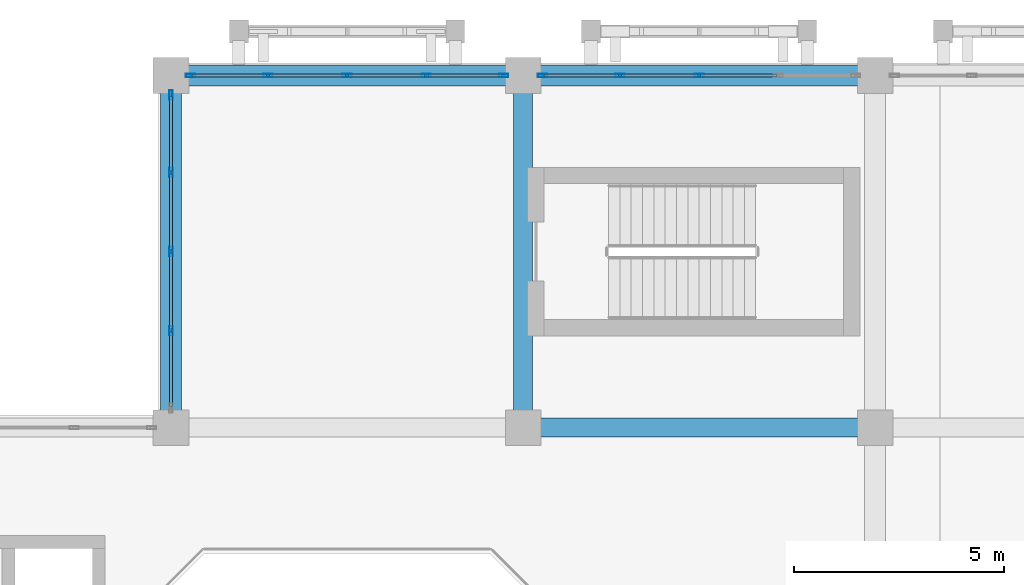
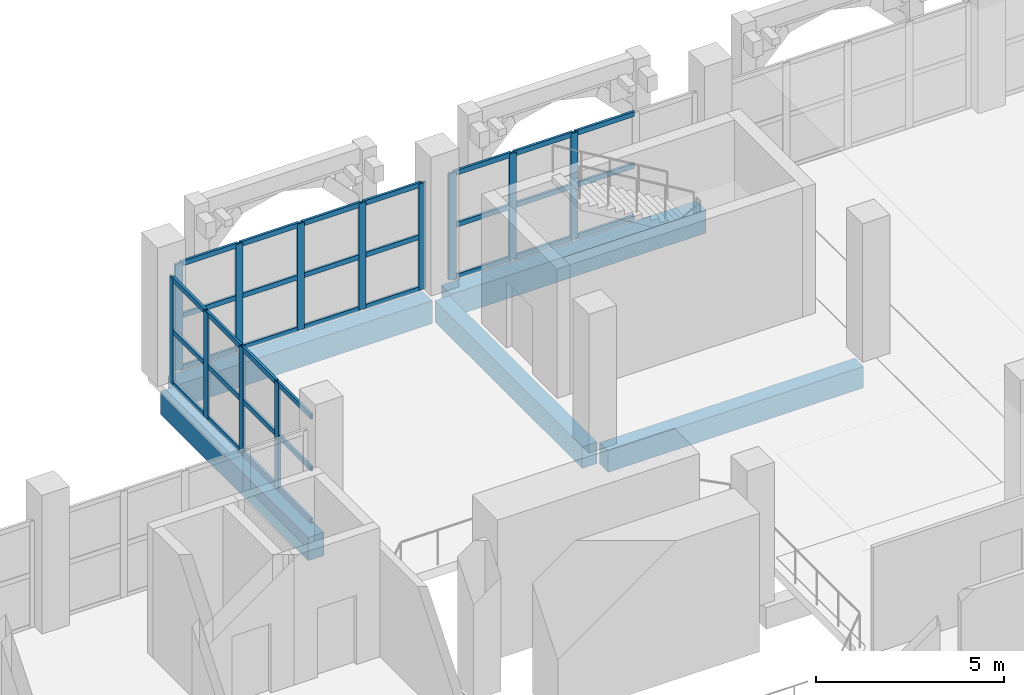
# One storey, part 58 of 137: 45 members, 5 beams, 3 elements without a shape of their own.
"""IFC4 building model written with IfcOpenShell, lengths in metres."""

import ifcopenshell
import ifcopenshell.guid

model = None  # the IFC model being written
_history = None  # IfcOwnerHistory: only IFC2X3 demands one
_inside = {}  # id of a spatial element -> (the spatial element, [elements in it])
_under = {}  # id of a project, library or spatial element -> (it, [spatial elements below it])
_declared = {}  # id of a project -> (the project, [libraries it declares])
_typed = {}  # id of a type object -> (the type object, [elements of that type])
_made_of = {}  # id of a material, layer set ... -> (it, [elements and type objects made of it])


def new_model(schema):
    """Start an empty IFC model of exactly this schema.

    Asked for "IFC4X3", IfcOpenShell would pick the latest addendum, in which some entities
    have other attributes; the version numbers below select the first issue.
    IFC2X3 requires an IfcOwnerHistory on every rooted entity: one is made here for all.
    """
    global model, _history
    if schema == "IFC4X3":
        model = ifcopenshell.file(schema_version=(4, 3, 0, 0))
    else:
        model = ifcopenshell.file(schema=schema)
    _inside.clear()
    _under.clear()
    _declared.clear()
    _typed.clear()
    _made_of.clear()
    _history = None
    if model.schema == "IFC2X3":
        org = make("IfcOrganization", Name="unknown")
        user = make(
            "IfcPersonAndOrganization",
            ThePerson=make("IfcPerson", FamilyName="unknown"),
            TheOrganization=org,
        )
        app = make(
            "IfcApplication",
            ApplicationDeveloper=org,
            Version="unknown",
            ApplicationFullName="unknown",
            ApplicationIdentifier="unknown",
        )
        _history = make(
            "IfcOwnerHistory",
            OwningUser=user,
            OwningApplication=app,
            ChangeAction="ADDED",
            CreationDate=0,
        )
    return model


def make(cls, **values):
    """One entity of the class cls with the attributes given. An attribute that is None is left unset."""
    return model.create_entity(
        cls, **{name: value for name, value in values.items() if value is not None}
    )


def rooted(cls, **values):
    """An entity with a GlobalId (a new one), such as an element, a storey or a relation."""
    return make(cls, GlobalId=ifcopenshell.guid.new(), OwnerHistory=_history, **values)


def si_unit(unit_type, name, prefix=None):
    """IfcSIUnit, for example si_unit("LENGTHUNIT", "METRE", prefix="MILLI")."""
    return make("IfcSIUnit", UnitType=unit_type, Prefix=prefix, Name=name)


def assignment(units):
    """IfcUnitAssignment: the units of a project."""
    return None if units is None else make("IfcUnitAssignment", Units=units)


def point(xyz):
    """IfcCartesianPoint."""
    return None if xyz is None else make("IfcCartesianPoint", Coordinates=xyz)


def direction(xyz):
    """IfcDirection."""
    return None if xyz is None else make("IfcDirection", DirectionRatios=xyz)


def frame(location, z_axis=None, x_axis=None):
    """IfcAxis2Placement3D, a coordinate frame: its origin and axes. An axis left out is left unset."""
    return make(
        "IfcAxis2Placement3D",
        Location=point(location),
        Axis=direction(z_axis),
        RefDirection=direction(x_axis),
    )


def frame_2d(location, x_axis=None):
    """IfcAxis2Placement2D, a coordinate frame in the plane: its origin and x axis."""
    return make(
        "IfcAxis2Placement2D", Location=point(location), RefDirection=direction(x_axis)
    )


def origin():
    """The frame at (0, 0, 0) with its axes left unset."""
    return frame((0.0, 0.0, 0.0))


def origin_2d():
    """The frame at (0, 0) in the plane with its x axis left unset."""
    return frame_2d((0.0, 0.0))


def place(relative_to, where):
    """IfcLocalPlacement: puts the frame where relative to a parent placement (None: the world)."""
    return make(
        "IfcLocalPlacement", PlacementRelTo=relative_to, RelativePlacement=where
    )


def context(
    kind, dimensions, precision=None, world=None, true_north=None, identifier=None
):
    """IfcGeometricRepresentationContext, for example the 3D "Model" context."""
    return make(
        "IfcGeometricRepresentationContext",
        ContextIdentifier=identifier,
        ContextType=kind,
        CoordinateSpaceDimension=dimensions,
        Precision=precision,
        WorldCoordinateSystem=world,
        TrueNorth=true_north,
    )


def subcontext(parent, identifier, kind, view, scale=None):
    """IfcGeometricRepresentationSubContext, for example "Body" below "Model"."""
    return make(
        "IfcGeometricRepresentationSubContext",
        ContextIdentifier=identifier,
        ContextType=kind,
        ParentContext=parent,
        TargetScale=scale,
        TargetView=view,
    )


def project(units=None, contexts=None):
    """IfcProject with its units and contexts."""
    return rooted(
        "IfcProject",
        Name="project",
        RepresentationContexts=contexts,
        UnitsInContext=assignment(units),
    )


def spatial(cls, under=None, at=None, **own):
    """A site, building, storey or space (cls), placed at a placement, below another one or the project."""
    s = rooted(cls, ObjectPlacement=at, **own)
    if under is not None:
        _under.setdefault(under.id(), (under, []))[1].append(s)
    return s


def profile(cls, at=None, kind="AREA", **sizes):
    """A parametric profile (cls). Its sizes go by their IFC names, for example OverallWidth=200.0."""
    return make(cls, ProfileType=kind, Position=at, **sizes)


def rectangle(**sizes):
    """IfcRectangleProfileDef."""
    return profile("IfcRectangleProfileDef", **sizes)


def hollow_rectangle(**sizes):
    """IfcRectangleHollowProfileDef."""
    return profile("IfcRectangleHollowProfileDef", **sizes)


def extrude(swept, where, along, depth):
    """IfcExtrudedAreaSolid: the profile swept, set in the frame where, extruded along a direction by depth."""
    return make(
        "IfcExtrudedAreaSolid",
        SweptArea=swept,
        Position=where,
        ExtrudedDirection=direction(along),
        Depth=depth,
    )


def shape(context_of_items, identifier, shape_type, items):
    """IfcShapeRepresentation: the items that make up one representation, for example the "Body"."""
    return make(
        "IfcShapeRepresentation",
        ContextOfItems=context_of_items,
        RepresentationIdentifier=identifier,
        RepresentationType=shape_type,
        Items=items,
    )


def material(Name=None, Category=None):
    """IfcMaterial."""
    return make("IfcMaterial", Name=Name, Category=Category)


def layer(
    of_material, thickness, ventilated=None, Name=None, Category=None, Priority=None
):
    """IfcMaterialLayer: one layer of a wall or slab, of a material (None: an air gap)."""
    return make(
        "IfcMaterialLayer",
        Material=of_material,
        LayerThickness=thickness,
        IsVentilated=ventilated,
        Name=Name,
        Category=Category,
        Priority=Priority,
    )


def layer_set(layers, Name=None):
    """IfcMaterialLayerSet."""
    return make("IfcMaterialLayerSet", MaterialLayers=layers, LayerSetName=Name)


def material_profile(
    of_material, cross_section, Name=None, Category=None, Priority=None
):
    """IfcMaterialProfile: a cross section and its material."""
    return make(
        "IfcMaterialProfile",
        Name=Name,
        Material=of_material,
        Profile=cross_section,
        Priority=Priority,
        Category=Category,
    )


def profile_set(profiles, Name=None, composite=None):
    """IfcMaterialProfileSet."""
    return make(
        "IfcMaterialProfileSet",
        Name=Name,
        MaterialProfiles=profiles,
        CompositeProfile=composite,
    )


def made_of(thing, what):
    """Note that an element or type object is made of a material, layer set ...; save() writes the relation."""
    if what is not None:
        _made_of.setdefault(what.id(), (what, []))[1].append(thing)
    return thing


def type_object(cls, material=None, **own):
    """A type object (cls), such as IfcWallType, which elements share."""
    return made_of(rooted(cls, **own), material)


def element(
    cls,
    number,
    at=None,
    inside=None,
    cuts=None,
    type_object=None,
    material=None,
    context=None,
    identifier="Body",
    shape_type=None,
    held_by="IfcProductDefinitionShape",
    body=None,
    shapes=None,
    **own,
):
    """One element of the class cls, such as IfcWall. Its Tag is "e" and its number.

    at: its placement. inside: the storey or other place that contains it. cuts: it is an
    opening in that element (IfcRelVoidsElement). A single representation is given by context,
    identifier, shape_type and body (its items); several are given by shapes. held_by: the class
    of the entity that holds the representations. save() writes the other relations.
    """
    e = rooted(cls, Tag="e%d" % number, ObjectPlacement=at, **own)
    if body is not None:
        shapes = [shape(context, identifier, shape_type, body)]
    if shapes is not None:
        e.Representation = make(held_by, Representations=shapes)
    if inside is not None:
        _inside.setdefault(inside.id(), (inside, []))[1].append(e)
    if cuts is not None:
        rooted(
            "IfcRelVoidsElement", RelatingBuildingElement=cuts, RelatedOpeningElement=e
        )
    if type_object is not None:
        _typed.setdefault(type_object.id(), (type_object, []))[1].append(e)
    return made_of(e, material)


def aggregate(whole, parts):
    """IfcRelAggregates: a whole, such as a stair, and the parts it consists of."""
    return rooted("IfcRelAggregates", RelatingObject=whole, RelatedObjects=parts)


def save(model, path):
    """Write the relations noted so far, then the file.

    IfcRelAggregates (storeys below a building ...), IfcRelContainedInSpatialStructure (elements
    in a storey), IfcRelDefinesByType, IfcRelAssociatesMaterial and IfcRelDeclares: one each for
    every whole, place, type object, material and project.
    """
    for whole, parts in _under.values():
        aggregate(whole, parts)
    for where, things in _inside.values():
        rooted(
            "IfcRelContainedInSpatialStructure",
            RelatedElements=things,
            RelatingStructure=where,
        )
    for kind, things in _typed.values():
        rooted("IfcRelDefinesByType", RelatedObjects=things, RelatingType=kind)
    for what, things in _made_of.values():
        rooted("IfcRelAssociatesMaterial", RelatedObjects=things, RelatingMaterial=what)
    for by, libraries in _declared.values():
        rooted("IfcRelDeclares", RelatingContext=by, RelatedDefinitions=libraries)
    model.write(path)


model = new_model("IFC4")

# Units and contexts
model_context = context("Model", 3, precision=1e-05, world=origin(), true_north=direction((0.0, 1.0)))
body_context = subcontext(model_context, "Body", "Model", "MODEL_VIEW")
ifc_project = project(units=[si_unit("LENGTHUNIT", "METRE"), si_unit("AREAUNIT", "SQUARE_METRE"), si_unit("VOLUMEUNIT", "CUBIC_METRE"), si_unit("PLANEANGLEUNIT", "RADIAN"), si_unit("MASSUNIT", "GRAM", prefix="KILO")], contexts=[model_context])

# Site, building, storey
site_placement = place(None, origin())
site = spatial("IfcSite", under=ifc_project, at=site_placement, CompositionType="ELEMENT")
building_placement = place(site_placement, origin())
building = spatial("IfcBuilding", under=site, at=building_placement, Name="Xazarin Passage Department Store", CompositionType="ELEMENT")
storey_placement = place(building_placement, frame((0.0, 0.0, 5.39990234375)))
storey = spatial("IfcBuildingStorey", under=building, at=storey_placement, Name="L01", CompositionType="ELEMENT", Elevation=5.39990234375)

# Curtain wall, members
ifc_material_1 = material(Name="Bronze anodised aluminium", Category="aluminium")
ifc_layer = layer(ifc_material_1, 0.179931640625)
ifc_layer_set = layer_set([ifc_layer], Name="Bronze anodised aluminium")
curtain_wall_type = type_object("IfcCurtainWallType", Name="ARC-CW-VIT1", PredefinedType="NOTDEFINED", material=ifc_layer_set)
curtain_wall_1_placement = place(storey_placement, origin())
curtain_wall_1 = element("IfcCurtainWall", 1, at=curtain_wall_1_placement, inside=storey, type_object=curtain_wall_type, Name="L01 V1 Curtain Wall 014", PredefinedType="NOTDEFINED")
ifc_material_profile_1 = material_profile(ifc_material_1, hollow_rectangle(XDim=0.074951171875, YDim=0.219970703125, WallThickness=0.0048828125, at=origin_2d()), Name="ALU 75x220")
ifc_profile_set_1 = profile_set([ifc_material_profile_1], Name="Bronze anodised aluminium")
member_type_1 = type_object("IfcMemberType", Name="ARC-CWM-75x220", PredefinedType="MULLION", material=ifc_profile_set_1)
member_1_placement = place(storey_placement, frame((17.262451171875, 110.0, 0.0), z_axis=(0.0, 0.0, 1.0), x_axis=(0.0, 1.0, 0.0)))
member_1 = element("IfcMember", 2, at=member_1_placement, type_object=member_type_1, Name="CW1 mullion 1", PredefinedType="MULLION", context=body_context, shape_type="SweptSolid", body=[
    extrude(hollow_rectangle(XDim=0.074951171875, YDim=0.219970703125, WallThickness=0.0048828125, at=origin_2d()), origin(), (0.0, 0.0, 1.0), 3.4501953125),
])
member_2_placement = place(storey_placement, frame((19.112548828125, 110.0, 0.0), z_axis=(0.0, 0.0, 1.0), x_axis=(0.0, 1.0, 0.0)))
member_2 = element("IfcMember", 3, at=member_2_placement, type_object=member_type_1, Name="CW1 mullion 2", PredefinedType="MULLION", context=body_context, shape_type="SweptSolid", body=[
    extrude(hollow_rectangle(XDim=0.074951171875, YDim=0.219970703125, WallThickness=0.0048828125, at=origin_2d()), origin(), (0.0, 0.0, 1.0), 3.4501953125),
])
member_3_placement = place(storey_placement, frame((21.0, 110.0, 0.0), z_axis=(0.0, 0.0, 1.0), x_axis=(0.0, 1.0, 0.0)))
member_3 = element("IfcMember", 4, at=member_3_placement, type_object=member_type_1, Name="CW1 mullion 3", PredefinedType="MULLION", context=body_context, shape_type="SweptSolid", body=[
    extrude(hollow_rectangle(XDim=0.074951171875, YDim=0.219970703125, WallThickness=0.0048828125, at=origin_2d()), origin(), (0.0, 0.0, 1.0), 3.4501953125),
])
member_4_placement = place(storey_placement, frame((22.887451171875, 110.0, 0.0), z_axis=(0.0, 0.0, 1.0), x_axis=(0.0, 1.0, 0.0)))
member_4 = element("IfcMember", 5, at=member_4_placement, type_object=member_type_1, Name="CW1 mullion 4", PredefinedType="MULLION", context=body_context, shape_type="SweptSolid", body=[
    extrude(hollow_rectangle(XDim=0.074951171875, YDim=0.219970703125, WallThickness=0.0048828125, at=origin_2d()), origin(), (0.0, 0.0, 1.0), 3.4501953125),
])
member_5_placement = place(storey_placement, frame((24.737548828125, 110.0, 0.0), z_axis=(0.0, 0.0, 1.0), x_axis=(0.0, 1.0, 0.0)))
member_5 = element("IfcMember", 6, at=member_5_placement, type_object=member_type_1, Name="CW1 mullion 5", PredefinedType="MULLION", context=body_context, shape_type="SweptSolid", body=[
    extrude(hollow_rectangle(XDim=0.074951171875, YDim=0.219970703125, WallThickness=0.0048828125, at=origin_2d()), origin(), (0.0, 0.0, 1.0), 3.4501953125),
])

curtain_wall_2_placement = place(storey_placement, origin())
curtain_wall_2 = element("IfcCurtainWall", 7, at=curtain_wall_2_placement, inside=storey, type_object=curtain_wall_type, Name="L01 V1 Curtain Wall 015", PredefinedType="NOTDEFINED")
member_6_placement = place(storey_placement, frame((25.66259765625, 110.0, 0.0), z_axis=(0.0, 0.0, 1.0), x_axis=(0.0, 1.0, 0.0)))
member_6 = element("IfcMember", 8, at=member_6_placement, type_object=member_type_1, Name="CW1 mullion 1", PredefinedType="MULLION", context=body_context, shape_type="SweptSolid", body=[
    extrude(hollow_rectangle(XDim=0.074951171875, YDim=0.219970703125, WallThickness=0.0048828125, at=origin_2d()), origin(), (0.0, 0.0, 1.0), 3.4501953125),
])
member_7_placement = place(storey_placement, frame((27.512451171875, 110.0, 0.0), z_axis=(0.0, 0.0, 1.0), x_axis=(0.0, 1.0, 0.0)))
member_7 = element("IfcMember", 9, at=member_7_placement, type_object=member_type_1, Name="CW1 mullion 2", PredefinedType="MULLION", context=body_context, shape_type="SweptSolid", body=[
    extrude(hollow_rectangle(XDim=0.074951171875, YDim=0.219970703125, WallThickness=0.0048828125, at=origin_2d()), origin(), (0.0, 0.0, 1.0), 3.4501953125),
])
member_8_placement = place(storey_placement, frame((29.39990234375, 110.0, 0.0), z_axis=(0.0, 0.0, 1.0), x_axis=(0.0, 1.0, 0.0)))
member_8 = element("IfcMember", 10, at=member_8_placement, type_object=member_type_1, Name="CW1 mullion 3", PredefinedType="MULLION", context=body_context, shape_type="SweptSolid", body=[
    extrude(hollow_rectangle(XDim=0.074951171875, YDim=0.219970703125, WallThickness=0.0048828125, at=origin_2d()), origin(), (0.0, 0.0, 1.0), 3.4501953125),
])

curtain_wall_3_placement = place(storey_placement, origin())
curtain_wall_3 = element("IfcCurtainWall", 11, at=curtain_wall_3_placement, inside=storey, type_object=curtain_wall_type, Name="L01 V1 Curtain Wall 024", PredefinedType="NOTDEFINED")
member_9_placement = place(storey_placement, frame((16.800048828125, 103.91259765625, 0.0), z_axis=(0.0, 0.0, 1.0), x_axis=(-1.0, 0.0, 0.0)))
member_9 = element("IfcMember", 12, at=member_9_placement, type_object=member_type_1, Name="CW1 mullion 2", PredefinedType="MULLION", context=body_context, shape_type="SweptSolid", body=[
    extrude(hollow_rectangle(XDim=0.074951171875, YDim=0.219970703125, WallThickness=0.0048828125, at=origin_2d()), origin(), (0.0, 0.0, 1.0), 3.4501953125),
])
member_10_placement = place(storey_placement, frame((16.800048828125, 105.800048828125, 0.0), z_axis=(0.0, 0.0, 1.0), x_axis=(-1.0, 0.0, 0.0)))
member_10 = element("IfcMember", 13, at=member_10_placement, type_object=member_type_1, Name="CW1 mullion 3", PredefinedType="MULLION", context=body_context, shape_type="SweptSolid", body=[
    extrude(hollow_rectangle(XDim=0.074951171875, YDim=0.219970703125, WallThickness=0.0048828125, at=origin_2d()), origin(), (0.0, 0.0, 1.0), 3.4501953125),
])
member_11_placement = place(storey_placement, frame((16.800048828125, 107.6875, 0.0), z_axis=(0.0, 0.0, 1.0), x_axis=(-1.0, 0.0, 0.0)))
member_11 = element("IfcMember", 14, at=member_11_placement, type_object=member_type_1, Name="CW1 mullion 4", PredefinedType="MULLION", context=body_context, shape_type="SweptSolid", body=[
    extrude(hollow_rectangle(XDim=0.074951171875, YDim=0.219970703125, WallThickness=0.0048828125, at=origin_2d()), origin(), (0.0, 0.0, 1.0), 3.4501953125),
])
member_12_placement = place(storey_placement, frame((16.800048828125, 109.53759765625, 0.0), z_axis=(0.0, 0.0, 1.0), x_axis=(-1.0, 0.0, 0.0)))
member_12 = element("IfcMember", 15, at=member_12_placement, type_object=member_type_1, Name="CW1 mullion 5", PredefinedType="MULLION", context=body_context, shape_type="SweptSolid", body=[
    extrude(hollow_rectangle(XDim=0.074951171875, YDim=0.219970703125, WallThickness=0.0048828125, at=origin_2d()), origin(), (0.0, 0.0, 1.0), 3.4501953125),
])

# Member
ifc_material_profile_2 = material_profile(ifc_material_1, hollow_rectangle(XDim=0.074951171875, YDim=0.159912109375, WallThickness=0.00439453125, at=origin_2d()), Name="ALU 75x160")
ifc_profile_set_2 = profile_set([ifc_material_profile_2], Name="Bronze anodised aluminium")
member_type_2 = type_object("IfcMemberType", Name="ARC-CWT-75x160", PredefinedType="USERDEFINED", material=ifc_profile_set_2)
member_13_placement = place(storey_placement, frame((17.300048828125, 110.0, 0.03759765625), z_axis=(1.0, 0.0, 0.0), x_axis=(0.0, 1.0, 0.0)))
member_13 = element("IfcMember", 16, at=member_13_placement, type_object=member_type_2, Name="CW1 transom 1.1", ObjectType="TRANSOM", PredefinedType="USERDEFINED", context=body_context, shape_type="SweptSolid", body=[
    extrude(hollow_rectangle(XDim=0.074951171875, YDim=0.159912109375, WallThickness=0.00439453125, at=origin_2d()), origin(), (0.0, 0.0, 1.0), 1.77490234375),
])

member_14_placement = place(storey_placement, frame((17.300048828125, 110.0, 1.72509765625), z_axis=(1.0, 0.0, 0.0), x_axis=(0.0, 1.0, 0.0)))
member_14 = element("IfcMember", 17, at=member_14_placement, type_object=member_type_2, Name="CW1 transom 1.2", ObjectType="TRANSOM", PredefinedType="USERDEFINED", context=body_context, shape_type="SweptSolid", body=[
    extrude(hollow_rectangle(XDim=0.074951171875, YDim=0.159912109375, WallThickness=0.00439453125, at=origin_2d()), origin(), (0.0, 0.0, 1.0), 1.77490234375),
])

member_15_placement = place(storey_placement, frame((17.300048828125, 110.0, 3.41259765625), z_axis=(1.0, 0.0, 0.0), x_axis=(0.0, 1.0, 0.0)))
member_15 = element("IfcMember", 18, at=member_15_placement, type_object=member_type_2, Name="CW1 transom 1.3", ObjectType="TRANSOM", PredefinedType="USERDEFINED", context=body_context, shape_type="SweptSolid", body=[
    extrude(hollow_rectangle(XDim=0.074951171875, YDim=0.159912109375, WallThickness=0.00439453125, at=origin_2d()), origin(), (0.0, 0.0, 1.0), 1.77490234375),
])

member_16_placement = place(storey_placement, frame((19.14990234375, 110.0, 0.03759765625), z_axis=(1.0, 0.0, 0.0), x_axis=(0.0, 1.0, 0.0)))
member_16 = element("IfcMember", 19, at=member_16_placement, type_object=member_type_2, Name="CW1 transom 2.1", ObjectType="TRANSOM", PredefinedType="USERDEFINED", context=body_context, shape_type="SweptSolid", body=[
    extrude(hollow_rectangle(XDim=0.074951171875, YDim=0.159912109375, WallThickness=0.00439453125, at=origin_2d()), origin(), (0.0, 0.0, 1.0), 1.8125),
])

member_17_placement = place(storey_placement, frame((19.14990234375, 110.0, 1.72509765625), z_axis=(1.0, 0.0, 0.0), x_axis=(0.0, 1.0, 0.0)))
member_17 = element("IfcMember", 20, at=member_17_placement, type_object=member_type_2, Name="CW1 transom 2.2", ObjectType="TRANSOM", PredefinedType="USERDEFINED", context=body_context, shape_type="SweptSolid", body=[
    extrude(hollow_rectangle(XDim=0.074951171875, YDim=0.159912109375, WallThickness=0.00439453125, at=origin_2d()), origin(), (0.0, 0.0, 1.0), 1.8125),
])

member_18_placement = place(storey_placement, frame((19.14990234375, 110.0, 3.41259765625), z_axis=(1.0, 0.0, 0.0), x_axis=(0.0, 1.0, 0.0)))
member_18 = element("IfcMember", 21, at=member_18_placement, type_object=member_type_2, Name="CW1 transom 2.3", ObjectType="TRANSOM", PredefinedType="USERDEFINED", context=body_context, shape_type="SweptSolid", body=[
    extrude(hollow_rectangle(XDim=0.074951171875, YDim=0.159912109375, WallThickness=0.00439453125, at=origin_2d()), origin(), (0.0, 0.0, 1.0), 1.8125),
])

member_19_placement = place(storey_placement, frame((21.03759765625, 110.0, 0.03759765625), z_axis=(1.0, 0.0, 0.0), x_axis=(0.0, 1.0, 0.0)))
member_19 = element("IfcMember", 22, at=member_19_placement, type_object=member_type_2, Name="CW1 transom 3.1", ObjectType="TRANSOM", PredefinedType="USERDEFINED", context=body_context, shape_type="SweptSolid", body=[
    extrude(hollow_rectangle(XDim=0.074951171875, YDim=0.159912109375, WallThickness=0.00439453125, at=origin_2d()), origin(), (0.0, 0.0, 1.0), 1.8125),
])

member_20_placement = place(storey_placement, frame((21.03759765625, 110.0, 1.72509765625), z_axis=(1.0, 0.0, 0.0), x_axis=(0.0, 1.0, 0.0)))
member_20 = element("IfcMember", 23, at=member_20_placement, type_object=member_type_2, Name="CW1 transom 3.2", ObjectType="TRANSOM", PredefinedType="USERDEFINED", context=body_context, shape_type="SweptSolid", body=[
    extrude(hollow_rectangle(XDim=0.074951171875, YDim=0.159912109375, WallThickness=0.00439453125, at=origin_2d()), origin(), (0.0, 0.0, 1.0), 1.8125),
])

member_21_placement = place(storey_placement, frame((21.03759765625, 110.0, 3.41259765625), z_axis=(1.0, 0.0, 0.0), x_axis=(0.0, 1.0, 0.0)))
member_21 = element("IfcMember", 24, at=member_21_placement, type_object=member_type_2, Name="CW1 transom 3.3", ObjectType="TRANSOM", PredefinedType="USERDEFINED", context=body_context, shape_type="SweptSolid", body=[
    extrude(hollow_rectangle(XDim=0.074951171875, YDim=0.159912109375, WallThickness=0.00439453125, at=origin_2d()), origin(), (0.0, 0.0, 1.0), 1.8125),
])

member_22_placement = place(storey_placement, frame((22.925048828125, 110.0, 0.03759765625), z_axis=(1.0, 0.0, 0.0), x_axis=(0.0, 1.0, 0.0)))
member_22 = element("IfcMember", 25, at=member_22_placement, type_object=member_type_2, Name="CW1 transom 4.1", ObjectType="TRANSOM", PredefinedType="USERDEFINED", context=body_context, shape_type="SweptSolid", body=[
    extrude(hollow_rectangle(XDim=0.074951171875, YDim=0.159912109375, WallThickness=0.00439453125, at=origin_2d()), origin(), (0.0, 0.0, 1.0), 1.77490234375),
])

member_23_placement = place(storey_placement, frame((22.925048828125, 110.0, 1.72509765625), z_axis=(1.0, 0.0, 0.0), x_axis=(0.0, 1.0, 0.0)))
member_23 = element("IfcMember", 26, at=member_23_placement, type_object=member_type_2, Name="CW1 transom 4.2", ObjectType="TRANSOM", PredefinedType="USERDEFINED", context=body_context, shape_type="SweptSolid", body=[
    extrude(hollow_rectangle(XDim=0.074951171875, YDim=0.159912109375, WallThickness=0.00439453125, at=origin_2d()), origin(), (0.0, 0.0, 1.0), 1.77490234375),
])

member_24_placement = place(storey_placement, frame((22.925048828125, 110.0, 3.41259765625), z_axis=(1.0, 0.0, 0.0), x_axis=(0.0, 1.0, 0.0)))
member_24 = element("IfcMember", 27, at=member_24_placement, type_object=member_type_2, Name="CW1 transom 4.3", ObjectType="TRANSOM", PredefinedType="USERDEFINED", context=body_context, shape_type="SweptSolid", body=[
    extrude(hollow_rectangle(XDim=0.074951171875, YDim=0.159912109375, WallThickness=0.00439453125, at=origin_2d()), origin(), (0.0, 0.0, 1.0), 1.77490234375),
])

aggregate(curtain_wall_1, [member_1, member_2, member_3, member_4, member_5, member_13, member_14, member_15, member_16, member_17, member_18, member_19, member_20, member_21, member_22, member_23, member_24])

member_25_placement = place(storey_placement, frame((25.699951171875, 110.0, 0.03759765625), z_axis=(1.0, 0.0, 0.0), x_axis=(0.0, 1.0, 0.0)))
member_25 = element("IfcMember", 28, at=member_25_placement, type_object=member_type_2, Name="CW1 transom 1.1", ObjectType="TRANSOM", PredefinedType="USERDEFINED", context=body_context, shape_type="SweptSolid", body=[
    extrude(hollow_rectangle(XDim=0.074951171875, YDim=0.159912109375, WallThickness=0.00439453125, at=origin_2d()), origin(), (0.0, 0.0, 1.0), 1.775146484375),
])

member_26_placement = place(storey_placement, frame((25.699951171875, 110.0, 1.72509765625), z_axis=(1.0, 0.0, 0.0), x_axis=(0.0, 1.0, 0.0)))
member_26 = element("IfcMember", 29, at=member_26_placement, type_object=member_type_2, Name="CW1 transom 1.2", ObjectType="TRANSOM", PredefinedType="USERDEFINED", context=body_context, shape_type="SweptSolid", body=[
    extrude(hollow_rectangle(XDim=0.074951171875, YDim=0.159912109375, WallThickness=0.00439453125, at=origin_2d()), origin(), (0.0, 0.0, 1.0), 1.775146484375),
])

member_27_placement = place(storey_placement, frame((25.699951171875, 110.0, 3.41259765625), z_axis=(1.0, 0.0, 0.0), x_axis=(0.0, 1.0, 0.0)))
member_27 = element("IfcMember", 30, at=member_27_placement, type_object=member_type_2, Name="CW1 transom 1.3", ObjectType="TRANSOM", PredefinedType="USERDEFINED", context=body_context, shape_type="SweptSolid", body=[
    extrude(hollow_rectangle(XDim=0.074951171875, YDim=0.159912109375, WallThickness=0.00439453125, at=origin_2d()), origin(), (0.0, 0.0, 1.0), 1.775146484375),
])

member_28_placement = place(storey_placement, frame((27.550048828125, 110.0, 0.03759765625), z_axis=(1.0, 0.0, 0.0), x_axis=(0.0, 1.0, 0.0)))
member_28 = element("IfcMember", 31, at=member_28_placement, type_object=member_type_2, Name="CW1 transom 2.1", ObjectType="TRANSOM", PredefinedType="USERDEFINED", context=body_context, shape_type="SweptSolid", body=[
    extrude(hollow_rectangle(XDim=0.074951171875, YDim=0.159912109375, WallThickness=0.00439453125, at=origin_2d()), origin(), (0.0, 0.0, 1.0), 1.8125),
])

member_29_placement = place(storey_placement, frame((27.550048828125, 110.0, 1.72509765625), z_axis=(1.0, 0.0, 0.0), x_axis=(0.0, 1.0, 0.0)))
member_29 = element("IfcMember", 32, at=member_29_placement, type_object=member_type_2, Name="CW1 transom 2.2", ObjectType="TRANSOM", PredefinedType="USERDEFINED", context=body_context, shape_type="SweptSolid", body=[
    extrude(hollow_rectangle(XDim=0.074951171875, YDim=0.159912109375, WallThickness=0.00439453125, at=origin_2d()), origin(), (0.0, 0.0, 1.0), 1.8125),
])

member_30_placement = place(storey_placement, frame((27.550048828125, 110.0, 3.41259765625), z_axis=(1.0, 0.0, 0.0), x_axis=(0.0, 1.0, 0.0)))
member_30 = element("IfcMember", 33, at=member_30_placement, type_object=member_type_2, Name="CW1 transom 2.3", ObjectType="TRANSOM", PredefinedType="USERDEFINED", context=body_context, shape_type="SweptSolid", body=[
    extrude(hollow_rectangle(XDim=0.074951171875, YDim=0.159912109375, WallThickness=0.00439453125, at=origin_2d()), origin(), (0.0, 0.0, 1.0), 1.8125),
])

member_31_placement = place(storey_placement, frame((29.4375, 110.0, 0.03759765625), z_axis=(1.0, 0.0, 0.0), x_axis=(0.0, 1.0, 0.0)))
member_31 = element("IfcMember", 34, at=member_31_placement, type_object=member_type_2, Name="CW1 transom 3.1", ObjectType="TRANSOM", PredefinedType="USERDEFINED", context=body_context, shape_type="SweptSolid", body=[
    extrude(hollow_rectangle(XDim=0.074951171875, YDim=0.159912109375, WallThickness=0.00439453125, at=origin_2d()), origin(), (0.0, 0.0, 1.0), 1.8125),
])

member_32_placement = place(storey_placement, frame((29.4375, 110.0, 1.72509765625), z_axis=(1.0, 0.0, 0.0), x_axis=(0.0, 1.0, 0.0)))
member_32 = element("IfcMember", 35, at=member_32_placement, type_object=member_type_2, Name="CW1 transom 3.2", ObjectType="TRANSOM", PredefinedType="USERDEFINED", context=body_context, shape_type="SweptSolid", body=[
    extrude(hollow_rectangle(XDim=0.074951171875, YDim=0.159912109375, WallThickness=0.00439453125, at=origin_2d()), origin(), (0.0, 0.0, 1.0), 1.8125),
])

member_33_placement = place(storey_placement, frame((29.4375, 110.0, 3.41259765625), z_axis=(1.0, 0.0, 0.0), x_axis=(0.0, 1.0, 0.0)))
member_33 = element("IfcMember", 36, at=member_33_placement, type_object=member_type_2, Name="CW1 transom 3.3", ObjectType="TRANSOM", PredefinedType="USERDEFINED", context=body_context, shape_type="SweptSolid", body=[
    extrude(hollow_rectangle(XDim=0.074951171875, YDim=0.159912109375, WallThickness=0.00439453125, at=origin_2d()), origin(), (0.0, 0.0, 1.0), 1.8125),
])

aggregate(curtain_wall_2, [member_6, member_7, member_8, member_25, member_26, member_27, member_28, member_29, member_30, member_31, member_32, member_33])

member_34_placement = place(storey_placement, frame((16.800048828125, 102.10009765625, 0.03759765625), z_axis=(0.0, 1.0, 0.0), x_axis=(-1.0, 0.0, 0.0)))
member_34 = element("IfcMember", 37, at=member_34_placement, type_object=member_type_2, Name="CW1 transom 1.1", ObjectType="TRANSOM", PredefinedType="USERDEFINED", context=body_context, shape_type="SweptSolid", body=[
    extrude(hollow_rectangle(XDim=0.074951171875, YDim=0.159912109375, WallThickness=0.00439453125, at=origin_2d()), origin(), (0.0, 0.0, 1.0), 1.77490234375),
])

member_35_placement = place(storey_placement, frame((16.800048828125, 102.10009765625, 1.72509765625), z_axis=(0.0, 1.0, 0.0), x_axis=(-1.0, 0.0, 0.0)))
member_35 = element("IfcMember", 38, at=member_35_placement, type_object=member_type_2, Name="CW1 transom 1.2", ObjectType="TRANSOM", PredefinedType="USERDEFINED", context=body_context, shape_type="SweptSolid", body=[
    extrude(hollow_rectangle(XDim=0.074951171875, YDim=0.159912109375, WallThickness=0.00439453125, at=origin_2d()), origin(), (0.0, 0.0, 1.0), 1.77490234375),
])

member_36_placement = place(storey_placement, frame((16.800048828125, 102.10009765625, 3.41259765625), z_axis=(0.0, 1.0, 0.0), x_axis=(-1.0, 0.0, 0.0)))
member_36 = element("IfcMember", 39, at=member_36_placement, type_object=member_type_2, Name="CW1 transom 1.3", ObjectType="TRANSOM", PredefinedType="USERDEFINED", context=body_context, shape_type="SweptSolid", body=[
    extrude(hollow_rectangle(XDim=0.074951171875, YDim=0.159912109375, WallThickness=0.00439453125, at=origin_2d()), origin(), (0.0, 0.0, 1.0), 1.77490234375),
])

member_37_placement = place(storey_placement, frame((16.800048828125, 103.949951171875, 0.03759765625), z_axis=(0.0, 1.0, 0.0), x_axis=(-1.0, 0.0, 0.0)))
member_37 = element("IfcMember", 40, at=member_37_placement, type_object=member_type_2, Name="CW1 transom 2.1", ObjectType="TRANSOM", PredefinedType="USERDEFINED", context=body_context, shape_type="SweptSolid", body=[
    extrude(hollow_rectangle(XDim=0.074951171875, YDim=0.159912109375, WallThickness=0.00439453125, at=origin_2d()), origin(), (0.0, 0.0, 1.0), 1.8125),
])

member_38_placement = place(storey_placement, frame((16.800048828125, 103.949951171875, 1.72509765625), z_axis=(0.0, 1.0, 0.0), x_axis=(-1.0, 0.0, 0.0)))
member_38 = element("IfcMember", 41, at=member_38_placement, type_object=member_type_2, Name="CW1 transom 2.2", ObjectType="TRANSOM", PredefinedType="USERDEFINED", context=body_context, shape_type="SweptSolid", body=[
    extrude(hollow_rectangle(XDim=0.074951171875, YDim=0.159912109375, WallThickness=0.00439453125, at=origin_2d()), origin(), (0.0, 0.0, 1.0), 1.8125),
])

member_39_placement = place(storey_placement, frame((16.800048828125, 103.949951171875, 3.41259765625), z_axis=(0.0, 1.0, 0.0), x_axis=(-1.0, 0.0, 0.0)))
member_39 = element("IfcMember", 42, at=member_39_placement, type_object=member_type_2, Name="CW1 transom 2.3", ObjectType="TRANSOM", PredefinedType="USERDEFINED", context=body_context, shape_type="SweptSolid", body=[
    extrude(hollow_rectangle(XDim=0.074951171875, YDim=0.159912109375, WallThickness=0.00439453125, at=origin_2d()), origin(), (0.0, 0.0, 1.0), 1.8125),
])

member_40_placement = place(storey_placement, frame((16.800048828125, 105.83740234375, 0.03759765625), z_axis=(0.0, 1.0, 0.0), x_axis=(-1.0, 0.0, 0.0)))
member_40 = element("IfcMember", 43, at=member_40_placement, type_object=member_type_2, Name="CW1 transom 3.1", ObjectType="TRANSOM", PredefinedType="USERDEFINED", context=body_context, shape_type="SweptSolid", body=[
    extrude(hollow_rectangle(XDim=0.074951171875, YDim=0.159912109375, WallThickness=0.00439453125, at=origin_2d()), origin(), (0.0, 0.0, 1.0), 1.8125),
])

member_41_placement = place(storey_placement, frame((16.800048828125, 105.83740234375, 1.72509765625), z_axis=(0.0, 1.0, 0.0), x_axis=(-1.0, 0.0, 0.0)))
member_41 = element("IfcMember", 44, at=member_41_placement, type_object=member_type_2, Name="CW1 transom 3.2", ObjectType="TRANSOM", PredefinedType="USERDEFINED", context=body_context, shape_type="SweptSolid", body=[
    extrude(hollow_rectangle(XDim=0.074951171875, YDim=0.159912109375, WallThickness=0.00439453125, at=origin_2d()), origin(), (0.0, 0.0, 1.0), 1.8125),
])

member_42_placement = place(storey_placement, frame((16.800048828125, 105.83740234375, 3.41259765625), z_axis=(0.0, 1.0, 0.0), x_axis=(-1.0, 0.0, 0.0)))
member_42 = element("IfcMember", 45, at=member_42_placement, type_object=member_type_2, Name="CW1 transom 3.3", ObjectType="TRANSOM", PredefinedType="USERDEFINED", context=body_context, shape_type="SweptSolid", body=[
    extrude(hollow_rectangle(XDim=0.074951171875, YDim=0.159912109375, WallThickness=0.00439453125, at=origin_2d()), origin(), (0.0, 0.0, 1.0), 1.8125),
])

member_43_placement = place(storey_placement, frame((16.800048828125, 107.72509765625, 0.03759765625), z_axis=(0.0, 1.0, 0.0), x_axis=(-1.0, 0.0, 0.0)))
member_43 = element("IfcMember", 46, at=member_43_placement, type_object=member_type_2, Name="CW1 transom 4.1", ObjectType="TRANSOM", PredefinedType="USERDEFINED", context=body_context, shape_type="SweptSolid", body=[
    extrude(hollow_rectangle(XDim=0.074951171875, YDim=0.159912109375, WallThickness=0.00439453125, at=origin_2d()), origin(), (0.0, 0.0, 1.0), 1.77490234375),
])

member_44_placement = place(storey_placement, frame((16.800048828125, 107.72509765625, 1.72509765625), z_axis=(0.0, 1.0, 0.0), x_axis=(-1.0, 0.0, 0.0)))
member_44 = element("IfcMember", 47, at=member_44_placement, type_object=member_type_2, Name="CW1 transom 4.2", ObjectType="TRANSOM", PredefinedType="USERDEFINED", context=body_context, shape_type="SweptSolid", body=[
    extrude(hollow_rectangle(XDim=0.074951171875, YDim=0.159912109375, WallThickness=0.00439453125, at=origin_2d()), origin(), (0.0, 0.0, 1.0), 1.77490234375),
])

member_45_placement = place(storey_placement, frame((16.800048828125, 107.72509765625, 3.41259765625), z_axis=(0.0, 1.0, 0.0), x_axis=(-1.0, 0.0, 0.0)))
member_45 = element("IfcMember", 48, at=member_45_placement, type_object=member_type_2, Name="CW1 transom 4.3", ObjectType="TRANSOM", PredefinedType="USERDEFINED", context=body_context, shape_type="SweptSolid", body=[
    extrude(hollow_rectangle(XDim=0.074951171875, YDim=0.159912109375, WallThickness=0.00439453125, at=origin_2d()), origin(), (0.0, 0.0, 1.0), 1.77490234375),
])

aggregate(curtain_wall_3, [member_9, member_10, member_11, member_12, member_34, member_35, member_36, member_37, member_38, member_39, member_40, member_41, member_42, member_43, member_44, member_45])

# Beams
ifc_material_2 = material(Name="Concrete C35/45", Category="concrete")
ifc_material_profile_3 = material_profile(ifc_material_2, rectangle(XDim=0.449951171875, YDim=0.699951171875, at=origin_2d()), Name="RC 450x700")
ifc_profile_set_3 = profile_set([ifc_material_profile_3], Name="Concrete C35/45")
beam_type_1 = type_object("IfcBeamType", Name="STR-BM-G450x700", PredefinedType="BEAM", material=ifc_profile_set_3)
for number, where, z_axis, x_axis, name in (
    (49, (25.47998046875, 101.60009765625, -0.64990234375), (1.0, 0.0, 0.0), (0.0, 1.0, 0.0), "L01 Grid Beam P/4-5"),
    (50, (25.199951171875, 101.8798828125, -0.64990234375), (0.0, 1.0, 0.0), (-1.0, 0.0, 0.0), "L01 Grid Beam 4/P-Q"),
):
    element("IfcBeam", number, at=place(storey_placement, frame(where, z_axis=z_axis, x_axis=x_axis)), inside=storey, type_object=beam_type_1, Name=name, PredefinedType="BEAM", context=body_context, shape_type="SweptSolid", body=[
        extrude(rectangle(XDim=0.449951171875, YDim=0.699951171875, at=origin_2d()), origin(), (0.0, 0.0, 1.0), 7.840087890625),
    ])
ifc_material_profile_4 = material_profile(ifc_material_2, rectangle(XDim=0.5, YDim=0.75, at=origin_2d()), Name="RC 500x750")
ifc_profile_set_4 = profile_set([ifc_material_profile_4], Name="Concrete C35/45")
beam_type_2 = type_object("IfcBeamType", Name="STR-BM-SP500x750", PredefinedType="SPANDREL", material=ifc_profile_set_4)
beam_placement = place(storey_placement, frame((17.080078125, 110.0, -0.6748046875), z_axis=(1.0, 0.0, 0.0), x_axis=(0.0, 1.0, 0.0)))
element("IfcBeam", 51, at=beam_placement, inside=storey, type_object=beam_type_2, Name="L01 Grid Beam Q/3-4", PredefinedType="SPANDREL", context=body_context, shape_type="SweptSolid", body=[
    extrude(rectangle(XDim=0.5, YDim=0.75, at=origin_2d()), origin(), (0.0, 0.0, 1.0), 7.83984375),
])
for number, where, z_axis, x_axis, name in (
    (52, (25.47998046875, 110.0, -0.6748046875), (1.0, 0.0, 0.0), (0.0, 1.0, 0.0), "L01 Grid Beam Q/4-5"),
    (53, (16.800048828125, 101.8798828125, -0.6748046875), (0.0, 1.0, 0.0), (-1.0, 0.0, 0.0), "L01 Grid Beam 3/P-Q"),
):
    element("IfcBeam", number, at=place(storey_placement, frame(where, z_axis=z_axis, x_axis=x_axis)), inside=storey, type_object=beam_type_2, Name=name, PredefinedType="SPANDREL", context=body_context, shape_type="SweptSolid", body=[
        extrude(rectangle(XDim=0.5, YDim=0.75, at=origin_2d()), origin(), (0.0, 0.0, 1.0), 7.840087890625),
    ])

save(model, "model.ifc")
